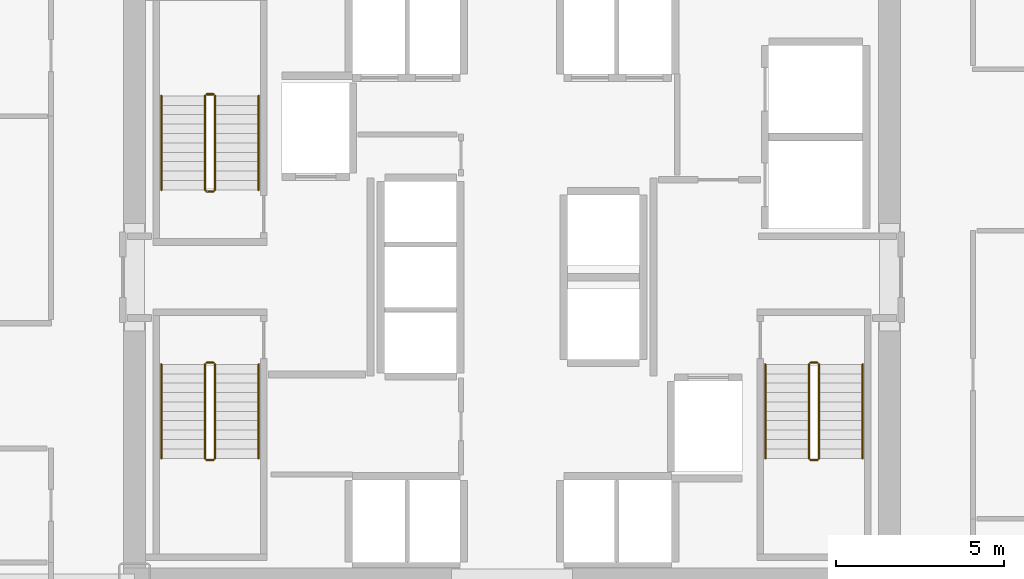
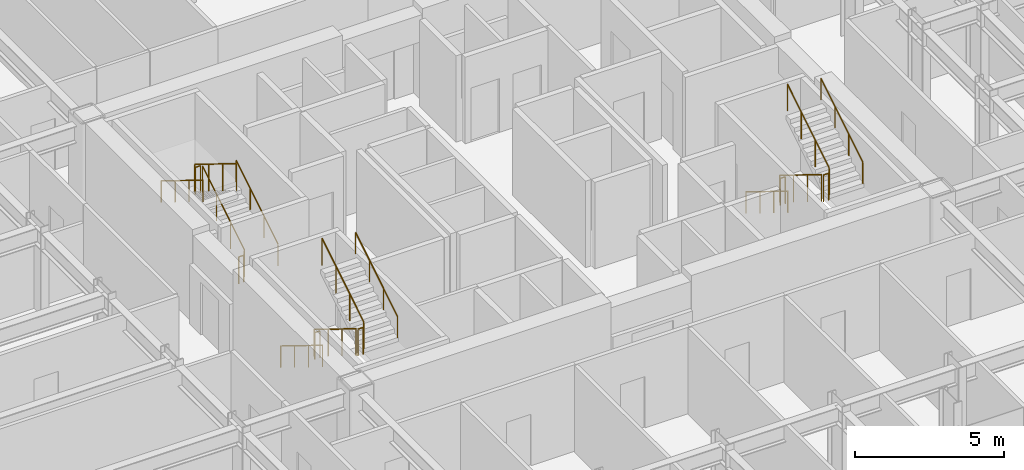
# One storey, part 25 of 25: 18 railings.
"""IFC4 building model written with IfcOpenShell, lengths in metres."""

from ifc_helpers import new_model, si_unit, direction, frame, origin, origin_2d, place, context, subcontext, project, spatial, circle, extrude, material, type_object, element, save


model = new_model("IFC4")

# Units and contexts
model_context = context("Model", 3, precision=1e-05, world=origin(), true_north=direction((0.0, 1.0)))
body_context = subcontext(model_context, "Body", "Model", "MODEL_VIEW")
ifc_project = project(units=[si_unit("LENGTHUNIT", "METRE"), si_unit("AREAUNIT", "SQUARE_METRE"), si_unit("VOLUMEUNIT", "CUBIC_METRE"), si_unit("PLANEANGLEUNIT", "RADIAN"), si_unit("MASSUNIT", "GRAM", prefix="KILO")], contexts=[model_context])

# Site, building, storey
site_placement = place(None, origin())
site = spatial("IfcSite", under=ifc_project, at=site_placement, CompositionType="ELEMENT")
building_placement = place(site_placement, origin())
building = spatial("IfcBuilding", under=site, at=building_placement, Name="Nefas-Gora Pilgrimage Tower", CompositionType="ELEMENT")
storey_placement = place(building_placement, frame((0.0, 0.0, 52.0)))
storey = spatial("IfcBuildingStorey", under=building, at=storey_placement, Name="L11", CompositionType="ELEMENT", Elevation=52.0)

# Railings
ifc_material_1 = material(Name="Painted galvanised steel", Category="steel")
railing_type_1 = type_object("IfcRailingType", Name="RLG-STR-GUARD-1100", PredefinedType="GUARDRAIL", material=ifc_material_1)
railing_1_placement = place(storey_placement, frame((-8.85009765625, 2.60009765625, 0.172607421875)))
element("IfcRailing", 1, at=railing_1_placement, inside=storey, type_object=railing_type_1, Name="L11 ST-01 stair guard 1", PredefinedType="GUARDRAIL", context=body_context, shape_type="SweptSolid", body=[
    extrude(circle(Radius=0.02392578125, at=origin_2d()), frame((0.0, 0.0, 1.09619140625), z_axis=(0.0, 0.851069175582, 0.525053576669), x_axis=(-1.0, 0.0, 0.0)), (0.0, 0.0, 1.0), 3.289794921875),
    extrude(circle(Radius=0.02099609375, at=origin_2d()), origin(), (0.0, 0.0, 1.0), 1.072021484375),
    extrude(circle(Radius=0.02099609375, at=origin_2d()), frame((0.0, 0.933349609375, 0.57568359375)), (0.0, 0.0, 1.0), 1.072021484375),
    extrude(circle(Radius=0.02099609375, at=origin_2d()), frame((0.0, 1.866455078125, 1.151611328125)), (0.0, 0.0, 1.0), 1.072021484375),
    extrude(circle(Radius=0.02099609375, at=origin_2d()), frame((0.0, 2.7998046875, 1.727294921875)), (0.0, 0.0, 1.0), 1.072021484375),
])
railing_2_placement = place(storey_placement, frame((-8.89990234375, 5.449951171875, 1.89990234375)))
element("IfcRailing", 2, at=railing_2_placement, inside=storey, type_object=railing_type_1, Name="L11 ST-01 stair guard 2", PredefinedType="GUARDRAIL", context=body_context, shape_type="SweptSolid", body=[
    extrude(circle(Radius=0.02392578125, at=origin_2d()), frame((0.0, 0.0, 1.09619140625), z_axis=(-1.0, 0.0, 0.0), x_axis=(0.0, -1.0, 0.0)), (0.0, 0.0, 1.0), 0.2001953125),
    extrude(circle(Radius=0.02099609375, at=origin_2d()), origin(), (0.0, 0.0, 1.0), 1.072021484375),
    extrude(circle(Radius=0.02099609375, at=origin_2d()), frame((-0.2001953125, 0.0, 0.0)), (0.0, 0.0, 1.0), 1.072021484375),
])
railing_3_placement = place(storey_placement, frame((-9.14990234375, 5.39990234375, 2.07275390625)))
element("IfcRailing", 3, at=railing_3_placement, inside=storey, type_object=railing_type_1, Name="L11 ST-01 stair guard 3", PredefinedType="GUARDRAIL", context=body_context, shape_type="SweptSolid", body=[
    extrude(circle(Radius=0.02392578125, at=origin_2d()), frame((0.0, 0.0, 1.09619140625), z_axis=(0.0, -0.851069175582, 0.525053576669), x_axis=(1.0, 0.0, 0.0)), (0.0, 0.0, 1.0), 3.289794921875),
    extrude(circle(Radius=0.02099609375, at=origin_2d()), origin(), (0.0, 0.0, 1.0), 1.072021484375),
    extrude(circle(Radius=0.02099609375, at=origin_2d()), frame((0.0, -0.933349609375, 0.57568359375)), (0.0, 0.0, 1.0), 1.072021484375),
    extrude(circle(Radius=0.02099609375, at=origin_2d()), frame((0.0, -1.866455078125, 1.151611328125)), (0.0, 0.0, 1.0), 1.072021484375),
    extrude(circle(Radius=0.02099609375, at=origin_2d()), frame((0.0, -2.7998046875, 1.727294921875)), (0.0, 0.0, 1.0), 1.072021484375),
])
railing_4_placement = place(storey_placement, frame((-8.89990234375, 2.550048828125, 0.0)))
element("IfcRailing", 4, at=railing_4_placement, inside=storey, type_object=railing_type_1, Name="L11 ST-01 stair guard 4", PredefinedType="GUARDRAIL", context=body_context, shape_type="SweptSolid", body=[
    extrude(circle(Radius=0.02392578125, at=origin_2d()), frame((0.0, 0.0, 1.09619140625), z_axis=(-1.0, 0.0, 0.0), x_axis=(0.0, -1.0, 0.0)), (0.0, 0.0, 1.0), 0.2001953125),
    extrude(circle(Radius=0.02099609375, at=origin_2d()), origin(), (0.0, 0.0, 1.0), 1.072021484375),
    extrude(circle(Radius=0.02099609375, at=origin_2d()), frame((-0.2001953125, 0.0, 0.0)), (0.0, 0.0, 1.0), 1.072021484375),
])
railing_5_placement = place(storey_placement, frame((8.85009765625, -2.60009765625, 0.172607421875)))
element("IfcRailing", 5, at=railing_5_placement, inside=storey, type_object=railing_type_1, Name="L11 ST-02 stair guard 1", PredefinedType="GUARDRAIL", context=body_context, shape_type="SweptSolid", body=[
    extrude(circle(Radius=0.02392578125, at=origin_2d()), frame((0.0, 0.0, 1.09619140625), z_axis=(0.0, -0.851069175582, 0.525053576669), x_axis=(1.0, 0.0, 0.0)), (0.0, 0.0, 1.0), 3.289794921875),
    extrude(circle(Radius=0.02099609375, at=origin_2d()), origin(), (0.0, 0.0, 1.0), 1.072021484375),
    extrude(circle(Radius=0.02099609375, at=origin_2d()), frame((0.0, -0.933349609375, 0.57568359375)), (0.0, 0.0, 1.0), 1.072021484375),
    extrude(circle(Radius=0.02099609375, at=origin_2d()), frame((0.0, -1.866455078125, 1.151611328125)), (0.0, 0.0, 1.0), 1.072021484375),
    extrude(circle(Radius=0.02099609375, at=origin_2d()), frame((0.0, -2.7998046875, 1.727294921875)), (0.0, 0.0, 1.0), 1.072021484375),
])
railing_6_placement = place(storey_placement, frame((8.89990234375, -5.449951171875, 1.89990234375)))
element("IfcRailing", 6, at=railing_6_placement, inside=storey, type_object=railing_type_1, Name="L11 ST-02 stair guard 2", PredefinedType="GUARDRAIL", context=body_context, shape_type="SweptSolid", body=[
    extrude(circle(Radius=0.02392578125, at=origin_2d()), frame((0.0, 0.0, 1.09619140625), z_axis=(1.0, 0.0, 0.0), x_axis=(0.0, 1.0, 0.0)), (0.0, 0.0, 1.0), 0.2001953125),
    extrude(circle(Radius=0.02099609375, at=origin_2d()), origin(), (0.0, 0.0, 1.0), 1.072021484375),
    extrude(circle(Radius=0.02099609375, at=origin_2d()), frame((0.2001953125, 0.0, 0.0)), (0.0, 0.0, 1.0), 1.072021484375),
])
railing_7_placement = place(storey_placement, frame((9.14990234375, -5.39990234375, 2.07275390625)))
element("IfcRailing", 7, at=railing_7_placement, inside=storey, type_object=railing_type_1, Name="L11 ST-02 stair guard 3", PredefinedType="GUARDRAIL", context=body_context, shape_type="SweptSolid", body=[
    extrude(circle(Radius=0.02392578125, at=origin_2d()), frame((0.0, 0.0, 1.09619140625), z_axis=(0.0, 0.851069175582, 0.525053576669), x_axis=(-1.0, 0.0, 0.0)), (0.0, 0.0, 1.0), 3.289794921875),
    extrude(circle(Radius=0.02099609375, at=origin_2d()), origin(), (0.0, 0.0, 1.0), 1.072021484375),
    extrude(circle(Radius=0.02099609375, at=origin_2d()), frame((0.0, 0.933349609375, 0.57568359375)), (0.0, 0.0, 1.0), 1.072021484375),
    extrude(circle(Radius=0.02099609375, at=origin_2d()), frame((0.0, 1.866455078125, 1.151611328125)), (0.0, 0.0, 1.0), 1.072021484375),
    extrude(circle(Radius=0.02099609375, at=origin_2d()), frame((0.0, 2.7998046875, 1.727294921875)), (0.0, 0.0, 1.0), 1.072021484375),
])
railing_8_placement = place(storey_placement, frame((8.89990234375, -2.550048828125, 0.0)))
element("IfcRailing", 8, at=railing_8_placement, inside=storey, type_object=railing_type_1, Name="L11 ST-02 stair guard 4", PredefinedType="GUARDRAIL", context=body_context, shape_type="SweptSolid", body=[
    extrude(circle(Radius=0.02392578125, at=origin_2d()), frame((0.0, 0.0, 1.09619140625), z_axis=(1.0, 0.0, 0.0), x_axis=(0.0, 1.0, 0.0)), (0.0, 0.0, 1.0), 0.2001953125),
    extrude(circle(Radius=0.02099609375, at=origin_2d()), origin(), (0.0, 0.0, 1.0), 1.072021484375),
    extrude(circle(Radius=0.02099609375, at=origin_2d()), frame((0.2001953125, 0.0, 0.0)), (0.0, 0.0, 1.0), 1.072021484375),
])
railing_9_placement = place(storey_placement, frame((-9.14990234375, -2.60009765625, 0.172607421875)))
element("IfcRailing", 9, at=railing_9_placement, inside=storey, type_object=railing_type_1, Name="L11 ST-03 stair guard 1", PredefinedType="GUARDRAIL", context=body_context, shape_type="SweptSolid", body=[
    extrude(circle(Radius=0.02392578125, at=origin_2d()), frame((0.0, 0.0, 1.09619140625), z_axis=(0.0, -0.851069175582, 0.525053576669), x_axis=(1.0, 0.0, 0.0)), (0.0, 0.0, 1.0), 3.289794921875),
    extrude(circle(Radius=0.02099609375, at=origin_2d()), origin(), (0.0, 0.0, 1.0), 1.072021484375),
    extrude(circle(Radius=0.02099609375, at=origin_2d()), frame((0.0, -0.933349609375, 0.57568359375)), (0.0, 0.0, 1.0), 1.072021484375),
    extrude(circle(Radius=0.02099609375, at=origin_2d()), frame((0.0, -1.866455078125, 1.151611328125)), (0.0, 0.0, 1.0), 1.072021484375),
    extrude(circle(Radius=0.02099609375, at=origin_2d()), frame((0.0, -2.7998046875, 1.727294921875)), (0.0, 0.0, 1.0), 1.072021484375),
])
railing_10_placement = place(storey_placement, frame((-9.10009765625, -5.449951171875, 1.89990234375)))
element("IfcRailing", 10, at=railing_10_placement, inside=storey, type_object=railing_type_1, Name="L11 ST-03 stair guard 2", PredefinedType="GUARDRAIL", context=body_context, shape_type="SweptSolid", body=[
    extrude(circle(Radius=0.02392578125, at=origin_2d()), frame((0.0, 0.0, 1.09619140625), z_axis=(1.0, 0.0, 0.0), x_axis=(0.0, 1.0, 0.0)), (0.0, 0.0, 1.0), 0.2001953125),
    extrude(circle(Radius=0.02099609375, at=origin_2d()), origin(), (0.0, 0.0, 1.0), 1.072021484375),
    extrude(circle(Radius=0.02099609375, at=origin_2d()), frame((0.2001953125, 0.0, 0.0)), (0.0, 0.0, 1.0), 1.072021484375),
])
railing_11_placement = place(storey_placement, frame((-8.85009765625, -5.39990234375, 2.07275390625)))
element("IfcRailing", 11, at=railing_11_placement, inside=storey, type_object=railing_type_1, Name="L11 ST-03 stair guard 3", PredefinedType="GUARDRAIL", context=body_context, shape_type="SweptSolid", body=[
    extrude(circle(Radius=0.02392578125, at=origin_2d()), frame((0.0, 0.0, 1.09619140625), z_axis=(0.0, 0.851069175582, 0.525053576669), x_axis=(-1.0, 0.0, 0.0)), (0.0, 0.0, 1.0), 3.289794921875),
    extrude(circle(Radius=0.02099609375, at=origin_2d()), origin(), (0.0, 0.0, 1.0), 1.072021484375),
    extrude(circle(Radius=0.02099609375, at=origin_2d()), frame((0.0, 0.933349609375, 0.57568359375)), (0.0, 0.0, 1.0), 1.072021484375),
    extrude(circle(Radius=0.02099609375, at=origin_2d()), frame((0.0, 1.866455078125, 1.151611328125)), (0.0, 0.0, 1.0), 1.072021484375),
    extrude(circle(Radius=0.02099609375, at=origin_2d()), frame((0.0, 2.7998046875, 1.727294921875)), (0.0, 0.0, 1.0), 1.072021484375),
])
railing_12_placement = place(storey_placement, frame((-9.10009765625, -2.550048828125, 0.0)))
element("IfcRailing", 12, at=railing_12_placement, inside=storey, type_object=railing_type_1, Name="L11 ST-03 stair guard 4", PredefinedType="GUARDRAIL", context=body_context, shape_type="SweptSolid", body=[
    extrude(circle(Radius=0.02392578125, at=origin_2d()), frame((0.0, 0.0, 1.09619140625), z_axis=(1.0, 0.0, 0.0), x_axis=(0.0, 1.0, 0.0)), (0.0, 0.0, 1.0), 0.2001953125),
    extrude(circle(Radius=0.02099609375, at=origin_2d()), origin(), (0.0, 0.0, 1.0), 1.072021484375),
    extrude(circle(Radius=0.02099609375, at=origin_2d()), frame((0.2001953125, 0.0, 0.0)), (0.0, 0.0, 1.0), 1.072021484375),
])
ifc_material_2 = material(Name="Brushed stainless steel", Category="steel")
railing_type_2 = type_object("IfcRailingType", Name="RLG-STR-HAND-900", PredefinedType="HANDRAIL", material=ifc_material_2)
railing_13_placement = place(storey_placement, frame((-7.550048828125, 2.60009765625, 0.172607421875)))
element("IfcRailing", 13, at=railing_13_placement, inside=storey, type_object=railing_type_2, Name="L11 ST-01 stair handrail 1", PredefinedType="HANDRAIL", context=body_context, shape_type="SweptSolid", body=[
    extrude(circle(Radius=0.02392578125, at=origin_2d()), frame((0.0, 0.0, 0.8759765625), z_axis=(0.0, 0.851069175582, 0.525053576669), x_axis=(-1.0, 0.0, 0.0)), (0.0, 0.0, 1.0), 3.289794921875),
    extrude(circle(Radius=0.02099609375, at=origin_2d()), origin(), (0.0, 0.0, 1.0), 0.851806640625),
    extrude(circle(Radius=0.02099609375, at=origin_2d()), frame((0.0, 0.933349609375, 0.57568359375)), (0.0, 0.0, 1.0), 0.851806640625),
    extrude(circle(Radius=0.02099609375, at=origin_2d()), frame((0.0, 1.866455078125, 1.151611328125)), (0.0, 0.0, 1.0), 0.851806640625),
    extrude(circle(Radius=0.02099609375, at=origin_2d()), frame((0.0, 2.7998046875, 1.727294921875)), (0.0, 0.0, 1.0), 0.851806640625),
])
for number, where, name in (
    (14, (-10.449951171875, 5.39990234375, 2.07275390625), "L11 ST-01 stair handrail 2"),
    (15, (7.550048828125, -2.60009765625, 0.172607421875), "L11 ST-02 stair handrail 1"),
):
    element("IfcRailing", number, at=place(storey_placement, frame(where)), inside=storey, type_object=railing_type_2, Name=name, PredefinedType="HANDRAIL", context=body_context, shape_type="SweptSolid", body=[
        extrude(circle(Radius=0.02392578125, at=origin_2d()), frame((0.0, 0.0, 0.8759765625), z_axis=(0.0, -0.851069175582, 0.525053576669), x_axis=(1.0, 0.0, 0.0)), (0.0, 0.0, 1.0), 3.289794921875),
        extrude(circle(Radius=0.02099609375, at=origin_2d()), origin(), (0.0, 0.0, 1.0), 0.851806640625),
        extrude(circle(Radius=0.02099609375, at=origin_2d()), frame((0.0, -0.933349609375, 0.57568359375)), (0.0, 0.0, 1.0), 0.851806640625),
        extrude(circle(Radius=0.02099609375, at=origin_2d()), frame((0.0, -1.866455078125, 1.151611328125)), (0.0, 0.0, 1.0), 0.851806640625),
        extrude(circle(Radius=0.02099609375, at=origin_2d()), frame((0.0, -2.7998046875, 1.727294921875)), (0.0, 0.0, 1.0), 0.851806640625),
    ])
railing_14_placement = place(storey_placement, frame((10.449951171875, -5.39990234375, 2.07275390625)))
element("IfcRailing", 16, at=railing_14_placement, inside=storey, type_object=railing_type_2, Name="L11 ST-02 stair handrail 2", PredefinedType="HANDRAIL", context=body_context, shape_type="SweptSolid", body=[
    extrude(circle(Radius=0.02392578125, at=origin_2d()), frame((0.0, 0.0, 0.8759765625), z_axis=(0.0, 0.851069175582, 0.525053576669), x_axis=(-1.0, 0.0, 0.0)), (0.0, 0.0, 1.0), 3.289794921875),
    extrude(circle(Radius=0.02099609375, at=origin_2d()), origin(), (0.0, 0.0, 1.0), 0.851806640625),
    extrude(circle(Radius=0.02099609375, at=origin_2d()), frame((0.0, 0.933349609375, 0.57568359375)), (0.0, 0.0, 1.0), 0.851806640625),
    extrude(circle(Radius=0.02099609375, at=origin_2d()), frame((0.0, 1.866455078125, 1.151611328125)), (0.0, 0.0, 1.0), 0.851806640625),
    extrude(circle(Radius=0.02099609375, at=origin_2d()), frame((0.0, 2.7998046875, 1.727294921875)), (0.0, 0.0, 1.0), 0.851806640625),
])
railing_15_placement = place(storey_placement, frame((-10.449951171875, -2.60009765625, 0.172607421875)))
element("IfcRailing", 17, at=railing_15_placement, inside=storey, type_object=railing_type_2, Name="L11 ST-03 stair handrail 1", PredefinedType="HANDRAIL", context=body_context, shape_type="SweptSolid", body=[
    extrude(circle(Radius=0.02392578125, at=origin_2d()), frame((0.0, 0.0, 0.8759765625), z_axis=(0.0, -0.851069175582, 0.525053576669), x_axis=(1.0, 0.0, 0.0)), (0.0, 0.0, 1.0), 3.289794921875),
    extrude(circle(Radius=0.02099609375, at=origin_2d()), origin(), (0.0, 0.0, 1.0), 0.851806640625),
    extrude(circle(Radius=0.02099609375, at=origin_2d()), frame((0.0, -0.933349609375, 0.57568359375)), (0.0, 0.0, 1.0), 0.851806640625),
    extrude(circle(Radius=0.02099609375, at=origin_2d()), frame((0.0, -1.866455078125, 1.151611328125)), (0.0, 0.0, 1.0), 0.851806640625),
    extrude(circle(Radius=0.02099609375, at=origin_2d()), frame((0.0, -2.7998046875, 1.727294921875)), (0.0, 0.0, 1.0), 0.851806640625),
])
railing_16_placement = place(storey_placement, frame((-7.550048828125, -5.39990234375, 2.07275390625)))
element("IfcRailing", 18, at=railing_16_placement, inside=storey, type_object=railing_type_2, Name="L11 ST-03 stair handrail 2", PredefinedType="HANDRAIL", context=body_context, shape_type="SweptSolid", body=[
    extrude(circle(Radius=0.02392578125, at=origin_2d()), frame((0.0, 0.0, 0.8759765625), z_axis=(0.0, 0.851069175582, 0.525053576669), x_axis=(-1.0, 0.0, 0.0)), (0.0, 0.0, 1.0), 3.289794921875),
    extrude(circle(Radius=0.02099609375, at=origin_2d()), origin(), (0.0, 0.0, 1.0), 0.851806640625),
    extrude(circle(Radius=0.02099609375, at=origin_2d()), frame((0.0, 0.933349609375, 0.57568359375)), (0.0, 0.0, 1.0), 0.851806640625),
    extrude(circle(Radius=0.02099609375, at=origin_2d()), frame((0.0, 1.866455078125, 1.151611328125)), (0.0, 0.0, 1.0), 0.851806640625),
    extrude(circle(Radius=0.02099609375, at=origin_2d()), frame((0.0, 2.7998046875, 1.727294921875)), (0.0, 0.0, 1.0), 0.851806640625),
])

save(model, "model.ifc")
